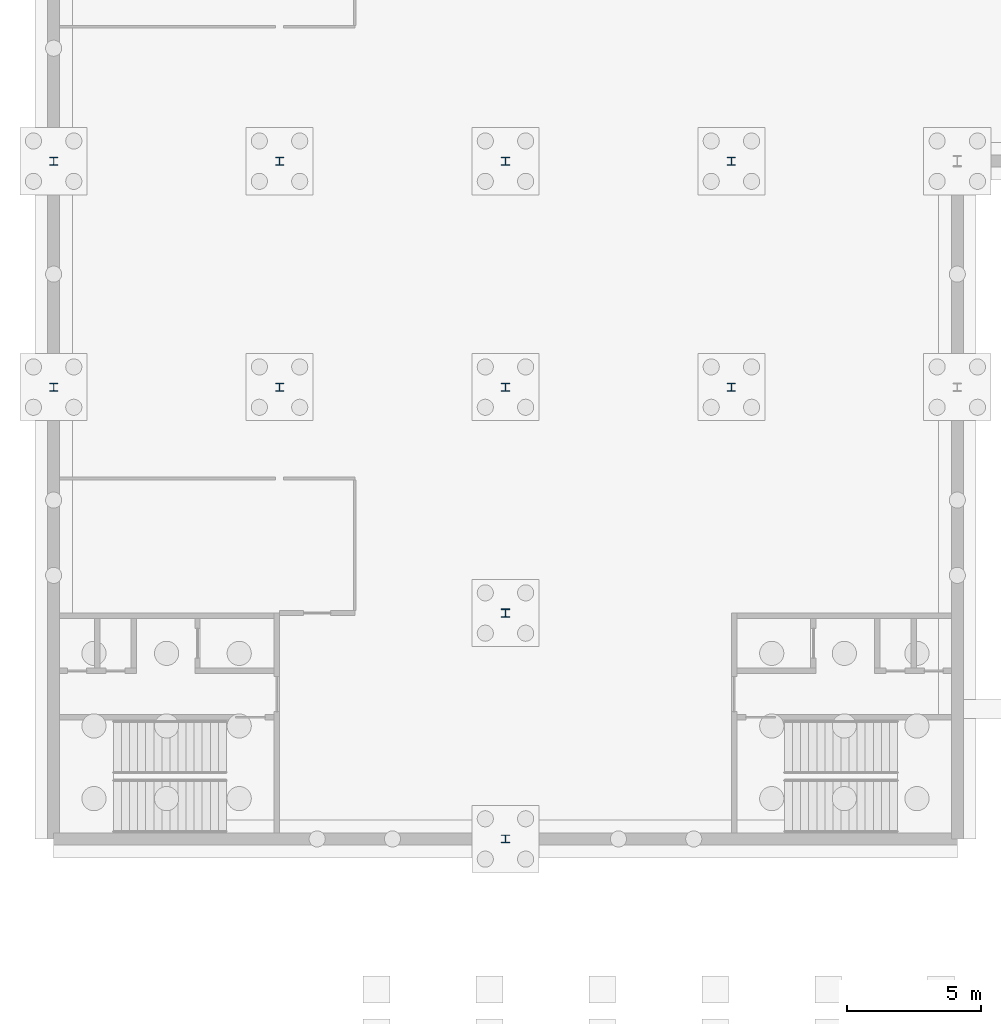
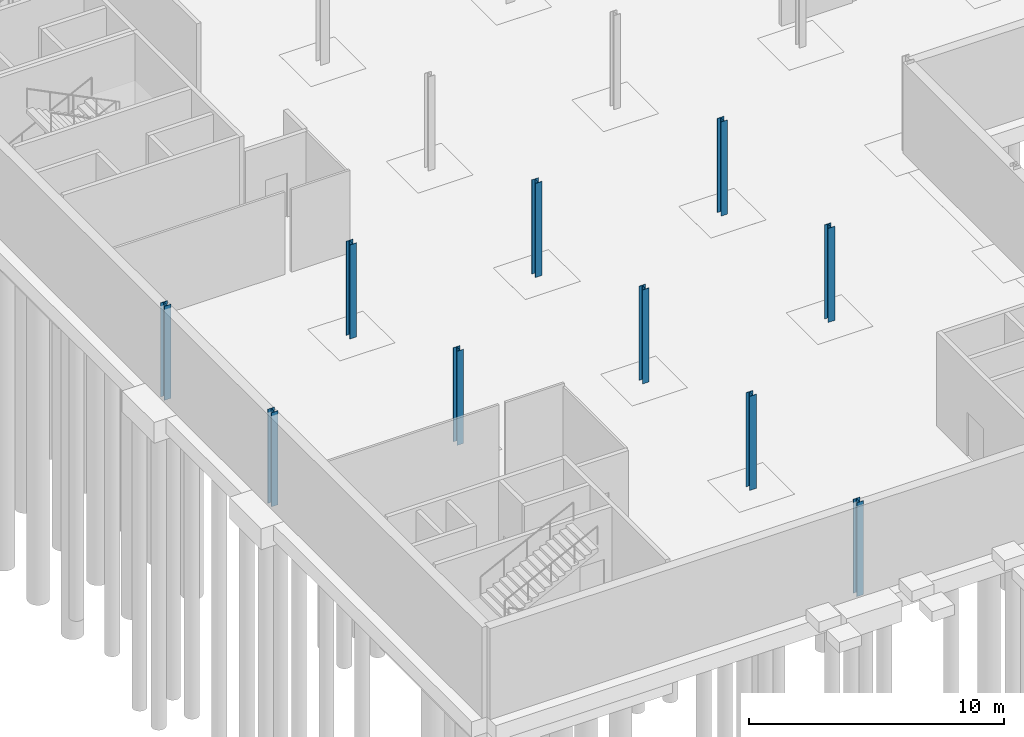
# One storey, part 5 of 35: 10 columns.
"""IFC4 building model written with IfcOpenShell, lengths in metres."""

from ifc_helpers import new_model, si_unit, direction, frame, origin, origin_2d, place, context, subcontext, project, spatial, i_section, extrude, material, material_profile, profile_set, type_object, element, save


model = new_model("IFC4")

# Units and contexts
model_context = context("Model", 3, precision=1e-05, world=origin(), true_north=direction((0.0, 1.0)))
body_context = subcontext(model_context, "Body", "Model", "MODEL_VIEW")
ifc_project = project(units=[si_unit("LENGTHUNIT", "METRE"), si_unit("AREAUNIT", "SQUARE_METRE"), si_unit("VOLUMEUNIT", "CUBIC_METRE"), si_unit("PLANEANGLEUNIT", "RADIAN"), si_unit("MASSUNIT", "GRAM", prefix="KILO")], contexts=[model_context])

# Site, building, storey
site_placement = place(None, origin())
site = spatial("IfcSite", under=ifc_project, at=site_placement, CompositionType="ELEMENT")
building_placement = place(site_placement, origin())
building = spatial("IfcBuilding", under=site, at=building_placement, Name="Ardhachandra Cancer Care Centre", CompositionType="ELEMENT")
storey_placement = place(building_placement, frame((0.0, 0.0, -4.5)))
storey = spatial("IfcBuildingStorey", under=building, at=storey_placement, Name="B1", CompositionType="ELEMENT", Elevation=-4.5)

# Columns
ifc_material_1 = material(Name="Steel E350 (IS 2062)", Category="steel")
ifc_material_profile_1 = material_profile(ifc_material_1, i_section(OverallWidth=0.300048828125, OverallDepth=0.300048828125, WebThickness=0.010986328125, FlangeThickness=0.01904296875, FilletRadius=0.027099609375, at=origin_2d()), Name="WPB 300x300x117.03")
ifc_profile_set_1 = profile_set([ifc_material_profile_1], Name="Steel E350 (IS 2062)")
column_type_1 = type_object("IfcColumnType", Name="Column WPB 300x300x117.03", PredefinedType="COLUMN", material=ifc_profile_set_1)
for number, where, z_axis, x_axis, name in (
    (1, (27.60009765625, 37.800048828125, 0.0), (0.0, 0.0, 1.0), (1.0, 0.0, 0.0), "Column D3 B1"),
    (2, (19.199951171875, 46.199951171875, 0.0), (0.0, 0.0, 1.0), (1.0, 0.0, 0.0), "Column E2 B1"),
    (3, (27.60009765625, 46.199951171875, 0.0), (0.0, 0.0, 1.0), (1.0, 0.0, 0.0), "Column E3 B1"),
    (4, (36.0, 46.199951171875, 0.0), (0.0, 0.0, 1.0), (1.0, 0.0, 0.0), "Column E4 B1"),
    (5, (19.199951171875, 54.60009765625, 0.0), (0.0, 0.0, 1.0), (1.0, 0.0, 0.0), "Column F2 B1"),
    (6, (27.60009765625, 54.60009765625, 0.0), (0.0, 0.0, 1.0), (1.0, 0.0, 0.0), "Column F3 B1"),
    (7, (36.0, 54.60009765625, 0.0), (0.0, 0.0, 1.0), (1.0, 0.0, 0.0), "Column F4 B1"),
):
    element("IfcColumn", number, at=place(storey_placement, frame(where, z_axis=z_axis, x_axis=x_axis)), inside=storey, type_object=column_type_1, Name=name, PredefinedType="COLUMN", context=body_context, shape_type="SweptSolid", body=[
        extrude(i_section(OverallWidth=0.300048828125, OverallDepth=0.300048828125, WebThickness=0.010986328125, FlangeThickness=0.01904296875, FilletRadius=0.027099609375, at=origin_2d()), origin(), (0.0, 0.0, 1.0), 4.5),
    ])
ifc_material_2 = material(Name="Steel E350 (IS 2062)", Category="steel")
ifc_material_profile_2 = material_profile(ifc_material_2, i_section(OverallWidth=0.300048828125, OverallDepth=0.2900390625, WebThickness=0.008544921875, FlangeThickness=0.013916015625, FilletRadius=0.027099609375, at=origin_2d()), Name="WPB 300x300x88.33")
ifc_profile_set_2 = profile_set([ifc_material_profile_2], Name="Steel E350 (IS 2062)")
column_type_2 = type_object("IfcColumnType", Name="Column WPB 300x300x88.33", PredefinedType="COLUMN", material=ifc_profile_set_2)
for number, where, z_axis, x_axis, name in (
    (8, (27.60009765625, 29.39990234375, 0.0), (0.0, 0.0, 1.0), (1.0, 0.0, 0.0), "Column C3 B1"),
    (9, (10.800048828125, 46.199951171875, 0.0), (0.0, 0.0, 1.0), (1.0, 0.0, 0.0), "Column E1 B1"),
    (10, (10.800048828125, 54.60009765625, 0.0), (0.0, 0.0, 1.0), (1.0, 0.0, 0.0), "Column F1 B1"),
):
    element("IfcColumn", number, at=place(storey_placement, frame(where, z_axis=z_axis, x_axis=x_axis)), inside=storey, type_object=column_type_2, Name=name, PredefinedType="COLUMN", context=body_context, shape_type="SweptSolid", body=[
        extrude(i_section(OverallWidth=0.300048828125, OverallDepth=0.2900390625, WebThickness=0.008544921875, FlangeThickness=0.013916015625, FilletRadius=0.027099609375, at=origin_2d()), origin(), (0.0, 0.0, 1.0), 4.5),
    ])

save(model, "model.ifc")
